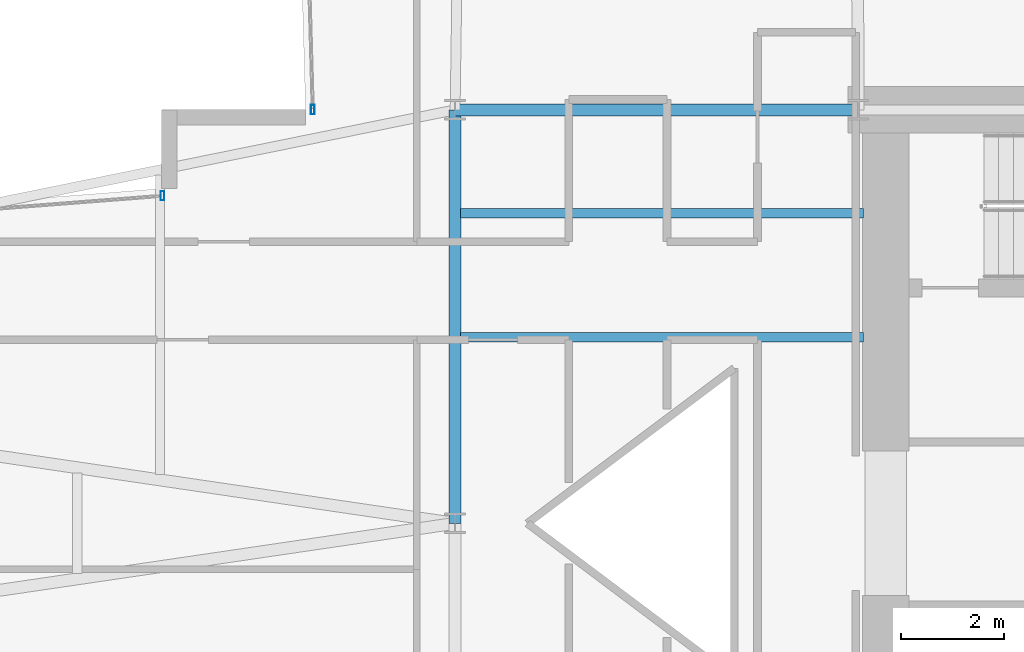
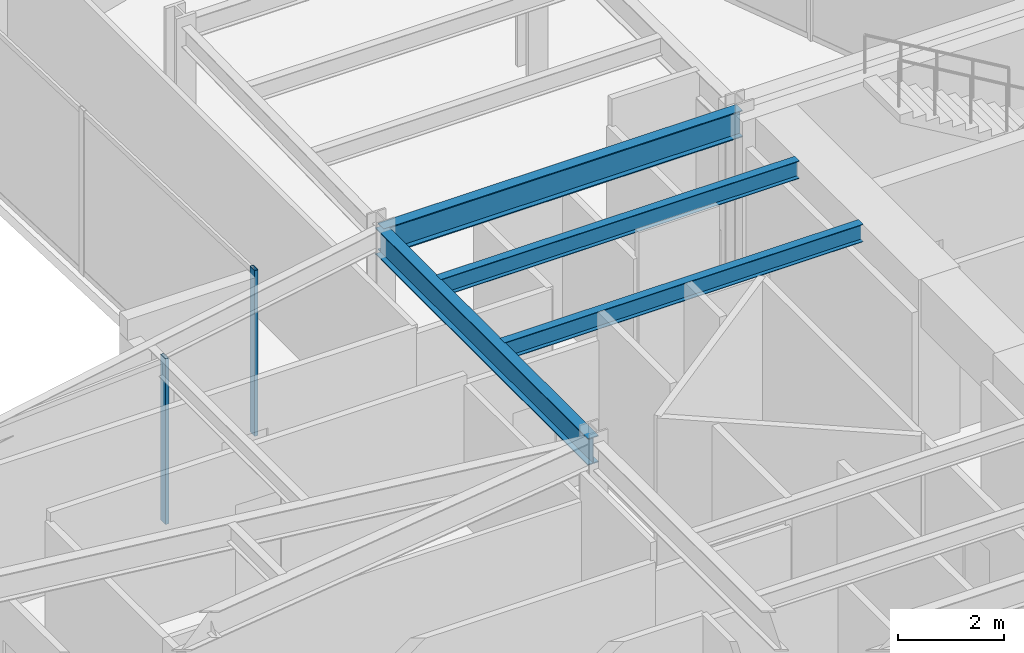
# One storey, part 12 of 30: 4 beams, 2 members, 2 elements without a shape of their own.
"""IFC4 building model written with IfcOpenShell, lengths in metres."""

from ifc_helpers import new_model, si_unit, direction, frame, origin, origin_2d, place, context, subcontext, project, spatial, hollow_rectangle, i_section, extrude, material, layer, layer_set, material_profile, profile_set, type_object, element, aggregate, save


model = new_model("IFC4")

# Units and contexts
model_context = context("Model", 3, precision=1e-05, world=origin(), true_north=direction((0.0, 1.0)))
body_context = subcontext(model_context, "Body", "Model", "MODEL_VIEW")
ifc_project = project(units=[si_unit("LENGTHUNIT", "METRE"), si_unit("AREAUNIT", "SQUARE_METRE"), si_unit("VOLUMEUNIT", "CUBIC_METRE"), si_unit("PLANEANGLEUNIT", "RADIAN"), si_unit("MASSUNIT", "GRAM", prefix="KILO")], contexts=[model_context])

# Site, building, storey
site_placement = place(None, origin())
site = spatial("IfcSite", under=ifc_project, at=site_placement, CompositionType="ELEMENT")
building_placement = place(site_placement, origin())
building = spatial("IfcBuilding", under=site, at=building_placement, Name="Veymaron Broadcast Tower", CompositionType="ELEMENT")
storey_placement = place(building_placement, frame((0.0, 0.0, 54.0)))
storey = spatial("IfcBuildingStorey", under=building, at=storey_placement, Name="L11", CompositionType="ELEMENT", Elevation=54.0)

# Beams
ifc_material_1 = material(Name="Structural steel ASTM A992 Gr 50", Category="steel")
ifc_material_profile_1 = material_profile(ifc_material_1, i_section(OverallWidth=0.22998046875, OverallDepth=0.616943359375, WebThickness=0.01318359375, FlangeThickness=0.022216796875, at=origin_2d()), Name="W610X140")
ifc_profile_set_1 = profile_set([ifc_material_profile_1], Name="Structural steel ASTM A992 Gr 50")
beam_type_1 = type_object("IfcBeamType", Name="BM-FG1", PredefinedType="BEAM", material=ifc_profile_set_1)
beam_1_placement = place(storey_placement, frame((31.199951171875, 24.0, 3.50146484375), z_axis=(0.0, 1.0, 0.0), x_axis=(-1.0, 0.0, 0.0)))
element("IfcBeam", 1, at=beam_1_placement, inside=storey, type_object=beam_type_1, Name="L11 primary structural floor girder", PredefinedType="BEAM", context=body_context, shape_type="SweptSolid", body=[
    extrude(i_section(OverallWidth=0.22998046875, OverallDepth=0.616943359375, WebThickness=0.01318359375, FlangeThickness=0.022216796875, at=origin_2d()), origin(), (0.0, 0.0, 1.0), 8.0),
])
beam_2_placement = place(storey_placement, frame((31.199951171875, 32.0, 3.50146484375), z_axis=(1.0, 0.0, 0.0), x_axis=(0.0, 1.0, 0.0)))
element("IfcBeam", 2, at=beam_2_placement, inside=storey, type_object=beam_type_1, Name="L11 primary structural floor girder", PredefinedType="BEAM", context=body_context, shape_type="SweptSolid", body=[
    extrude(i_section(OverallWidth=0.22998046875, OverallDepth=0.616943359375, WebThickness=0.01318359375, FlangeThickness=0.022216796875, at=origin_2d()), origin(), (0.0, 0.0, 1.0), 7.800048828125),
])
ifc_material_profile_2 = material_profile(ifc_material_1, i_section(OverallWidth=0.177978515625, OverallDepth=0.406982421875, WebThickness=0.0078125, FlangeThickness=0.0126953125, at=origin_2d()), Name="W410X60")
ifc_profile_set_2 = profile_set([ifc_material_profile_2], Name="Structural steel ASTM A992 Gr 50")
beam_type_2 = type_object("IfcBeamType", Name="BM-JS1", PredefinedType="JOIST", material=ifc_profile_set_2)
for number, where, z_axis, x_axis, name in (
    (3, (31.300048828125, 27.60009765625, 3.6064453125), (1.0, 0.0, 0.0), (0.0, 1.0, 0.0), "L11 Hub secondary joist 3"),
    (4, (31.300048828125, 30.0, 3.6064453125), (1.0, 0.0, 0.0), (0.0, 1.0, 0.0), "L11 Hub secondary joist 4"),
):
    element("IfcBeam", number, at=place(storey_placement, frame(where, z_axis=z_axis, x_axis=x_axis)), inside=storey, type_object=beam_type_2, Name=name, PredefinedType="JOIST", context=body_context, shape_type="SweptSolid", body=[
        extrude(i_section(OverallWidth=0.177978515625, OverallDepth=0.406982421875, WebThickness=0.0078125, FlangeThickness=0.0126953125, at=origin_2d()), origin(), (0.0, 0.0, 1.0), 7.800048828125),
    ])

# Curtain wall, member
ifc_material_2 = material(Name="Anodised aluminium AA 6063-T6 and laminated low-E dark glass", Category="aluminium")
ifc_layer = layer(ifc_material_2, 0.179931640625)
ifc_layer_set = layer_set([ifc_layer], Name="Anodised aluminium AA 6063-T6 and laminated low-E dark glass")
curtain_wall_type = type_object("IfcCurtainWallType", Name="CW-SYS-02", PredefinedType="NOTDEFINED", material=ifc_layer_set)
curtain_wall_1_placement = place(storey_placement, origin())
curtain_wall_1 = element("IfcCurtainWall", 5, at=curtain_wall_1_placement, inside=storey, type_object=curtain_wall_type, Name="L11 dark-glass curtain wall CW-L11-E8-1", PredefinedType="NOTDEFINED")
ifc_material_3 = material(Name="Anodised aluminium AA 6063-T6", Category="aluminium")
ifc_material_profile_3 = material_profile(ifc_material_3, hollow_rectangle(XDim=0.074951171875, YDim=0.179931640625, WallThickness=0.0048828125, at=origin_2d()), Name="AL180X75X5")
ifc_profile_set_3 = profile_set([ifc_material_profile_3], Name="Anodised aluminium AA 6063-T6")
member_type = type_object("IfcMemberType", Name="CW-MUL-02", PredefinedType="MULLION", material=ifc_profile_set_3)
member_1_placement = place(storey_placement, frame((28.4453125, 32.00390625, 0.0), z_axis=(0.0, 0.0, 1.0), x_axis=(1.0, 0.0, 0.0)))
member_1 = element("IfcMember", 6, at=member_1_placement, type_object=member_type, Name="CW-L11-E8-1 mullion 2", PredefinedType="MULLION", context=body_context, shape_type="SweptSolid", body=[
    extrude(hollow_rectangle(XDim=0.074951171875, YDim=0.179931640625, WallThickness=0.0048828125, at=origin_2d()), origin(), (0.0, 0.0, 1.0), 3.81005859375),
])
aggregate(curtain_wall_1, [member_1])

curtain_wall_2_placement = place(storey_placement, origin())
curtain_wall_2 = element("IfcCurtainWall", 7, at=curtain_wall_2_placement, inside=storey, type_object=curtain_wall_type, Name="L11 dark-glass curtain wall CW-L11-E11-1", PredefinedType="NOTDEFINED")
member_2_placement = place(storey_placement, frame((25.538818359375, 30.33642578125, 0.0), z_axis=(0.0, 0.0, 1.0), x_axis=(1.0, 0.0, 0.0)))
member_2 = element("IfcMember", 8, at=member_2_placement, type_object=member_type, Name="CW-L11-E11-1 mullion 0", PredefinedType="MULLION", context=body_context, shape_type="SweptSolid", body=[
    extrude(hollow_rectangle(XDim=0.074951171875, YDim=0.179931640625, WallThickness=0.0048828125, at=origin_2d()), origin(), (0.0, 0.0, 1.0), 3.81005859375),
])
aggregate(curtain_wall_2, [member_2])

save(model, "model.ifc")
